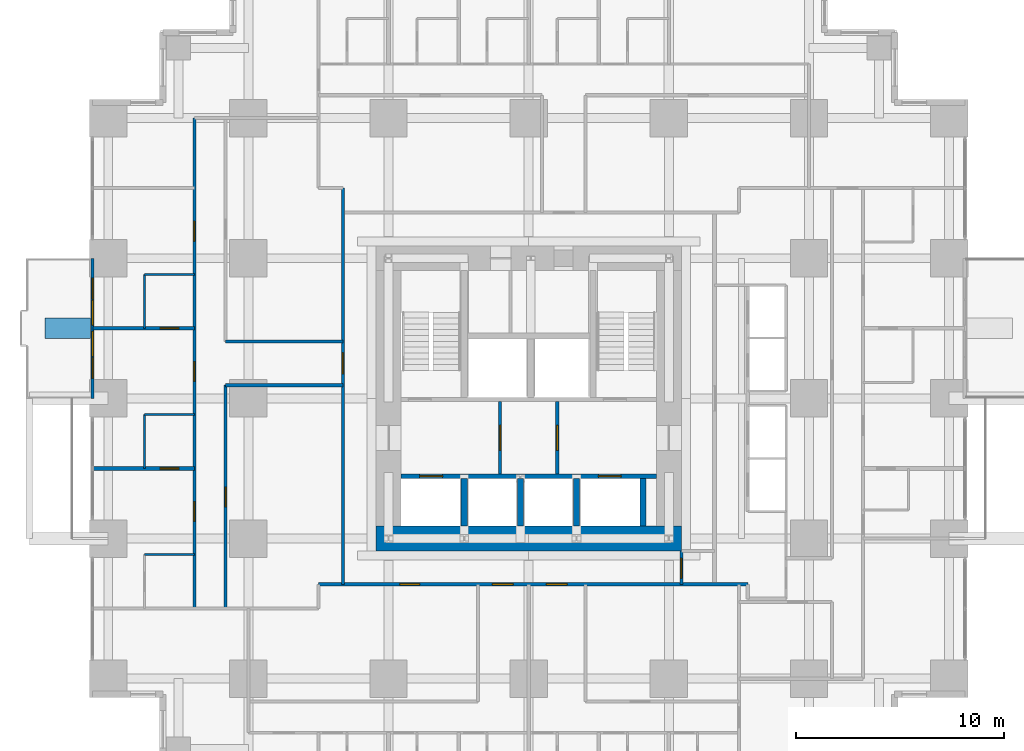
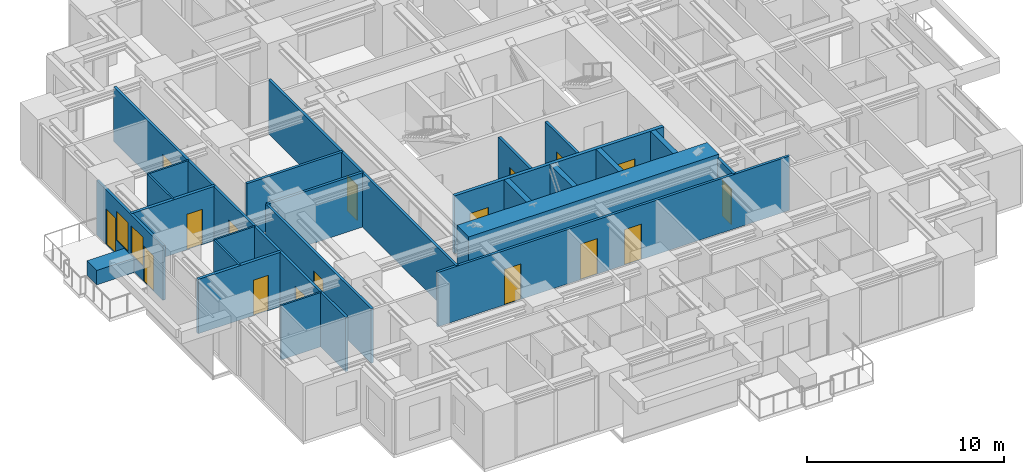
# One storey, part 9 of 14: 24 walls, 17 doors, 2 windows, 19 openings.
"""IFC4 building model written with IfcOpenShell, lengths in metres."""

from ifc_helpers import new_model, si_unit, direction, frame, frame_2d, origin, place, context, subcontext, project, spatial, rectangle, extrude, material, layer, layer_set, type_object, element, fill, save


model = new_model("IFC4")

# Units and contexts
model_context = context("Model", 3, precision=1e-05, world=origin(), true_north=direction((0.0, 1.0)))
body_context = subcontext(model_context, "Body", "Model", "MODEL_VIEW")
ifc_project = project(units=[si_unit("LENGTHUNIT", "METRE"), si_unit("AREAUNIT", "SQUARE_METRE"), si_unit("VOLUMEUNIT", "CUBIC_METRE"), si_unit("PLANEANGLEUNIT", "RADIAN"), si_unit("MASSUNIT", "GRAM", prefix="KILO")], contexts=[model_context])

# Site, building, storey
site_placement = place(None, origin())
site = spatial("IfcSite", under=ifc_project, at=site_placement, CompositionType="ELEMENT")
building_placement = place(site_placement, origin())
building = spatial("IfcBuilding", under=site, at=building_placement, Name="Nyansa Garden Tower", CompositionType="ELEMENT")
storey_placement = place(building_placement, frame((0.0, 0.0, 64.800048828125)))
storey = spatial("IfcBuildingStorey", under=building, at=storey_placement, Name="L17", CompositionType="ELEMENT", Elevation=64.800048828125)

# Wall, opening, door
ifc_material_1 = material(Name="Dense blockwork, plastered both sides, 55 dB", Category="masonry")
ifc_layer_1 = layer(ifc_material_1, 0.175048828125)
ifc_layer_set_1 = layer_set([ifc_layer_1], Name="Acoustic party wall PW175")
wall_type_1 = type_object("IfcWallType", Name="Acoustic party wall PW175", PredefinedType="PARTITIONING", material=ifc_layer_set_1)
wall_1_placement = place(storey_placement, frame((-0.73388671875, 16.875, 0.0), z_axis=(0.0, 0.0, 1.0), x_axis=(1.0, 0.0, 0.0)))
wall_1 = element("IfcWall", 1, at=wall_1_placement, inside=storey, type_object=wall_type_1, Name="Party wall", PredefinedType="PARTITIONING", context=body_context, shape_type="SweptSolid", body=[
    extrude(rectangle(XDim=4.8837890625, YDim=0.175048828125, at=frame_2d((2.44189453125, 0.0))), origin(), (0.0, 0.0, 1.0), 3.375),
])
opening_1_placement = place(wall_1_placement, frame((3.23388671875, 0.0, 0.0)))
opening_1 = element("IfcOpeningElement", 2, at=opening_1_placement, cuts=wall_1, Name="Opening D02", PredefinedType="OPENING", context=body_context, shape_type="SweptSolid", body=[
    extrude(rectangle(XDim=0.89990234375, YDim=2.199951171875, at=frame_2d((0.449951171875, 1.10009765625))), frame((0.0, 0.097412109375, 0.0), z_axis=(0.0, -1.0, 0.0), x_axis=(1.0, 0.0, 0.0)), (0.0, 0.0, 1.0), 0.195068359375),
])
ifc_material_2 = material(Name="Timber flush door", Category="wood")
door_type_1 = type_object("IfcDoorType", Name="En-suite door D02 900x2200", OperationType="SINGLE_SWING_RIGHT", PredefinedType="DOOR", material=ifc_material_2)
door_1_placement = place(opening_1_placement, origin())
door_1 = element("IfcDoor", 3, at=door_1_placement, inside=storey, type_object=door_type_1, Name="Door L17-062", OperationType="SINGLE_SWING_RIGHT", OverallHeight=2.199951171875, OverallWidth=0.89990234375, PredefinedType="DOOR", context=body_context, shape_type="SweptSolid", body=[
    extrude(rectangle(XDim=0.89990234375, YDim=2.199951171875, at=frame_2d((0.449951171875, 1.10009765625))), frame((0.0, 0.02490234375, 0.0), z_axis=(0.0, -1.0, 0.0), x_axis=(1.0, 0.0, 0.0)), (0.0, 0.0, 1.0), 0.050048828125),
])
fill(opening_1, door_1)

wall_2_placement = place(storey_placement, frame((-0.73388671875, 23.625, 0.0), z_axis=(0.0, 0.0, 1.0), x_axis=(1.0, 0.0, 0.0)))
wall_2 = element("IfcWall", 4, at=wall_2_placement, inside=storey, type_object=wall_type_1, Name="Party wall", PredefinedType="PARTITIONING", context=body_context, shape_type="SweptSolid", body=[
    extrude(rectangle(XDim=4.8837890625, YDim=0.175048828125, at=frame_2d((2.44189453125, 0.0))), origin(), (0.0, 0.0, 1.0), 3.375),
])
opening_2_placement = place(wall_2_placement, frame((3.23388671875, 0.0, 0.0)))
opening_2 = element("IfcOpeningElement", 5, at=opening_2_placement, cuts=wall_2, Name="Opening D02", PredefinedType="OPENING", context=body_context, shape_type="SweptSolid", body=[
    extrude(rectangle(XDim=0.89990234375, YDim=2.199951171875, at=frame_2d((0.449951171875, 1.10009765625))), frame((0.0, 0.097412109375, 0.0), z_axis=(0.0, -1.0, 0.0), x_axis=(1.0, 0.0, 0.0)), (0.0, 0.0, 1.0), 0.195068359375),
])
door_2_placement = place(opening_2_placement, origin())
door_2 = element("IfcDoor", 6, at=door_2_placement, inside=storey, type_object=door_type_1, Name="Door L17-064", OperationType="SINGLE_SWING_RIGHT", OverallHeight=2.199951171875, OverallWidth=0.89990234375, PredefinedType="DOOR", context=body_context, shape_type="SweptSolid", body=[
    extrude(rectangle(XDim=0.89990234375, YDim=2.199951171875, at=frame_2d((0.449951171875, 1.10009765625))), frame((0.0, 0.02490234375, 0.0), z_axis=(0.0, -1.0, 0.0), x_axis=(1.0, 0.0, 0.0)), (0.0, 0.0, 1.0), 0.050048828125),
])
fill(opening_2, door_2)

# Wall, openings, doors, windows
ifc_material_3 = material(Name="Black aluminium framed glazed screen", Category="aluminium")
ifc_layer_2 = layer(ifc_material_3, 0.14990234375)
ifc_layer_set_2 = layer_set([ifc_layer_2], Name="Balcony screen wall BW150")
wall_type_2 = type_object("IfcWallType", Name="Balcony screen wall BW150", PredefinedType="SOLIDWALL", material=ifc_layer_set_2)
wall_3_placement = place(storey_placement, frame((-0.75, 20.25, 0.0), z_axis=(0.0, 0.0, 1.0), x_axis=(0.0, 1.0, 0.0)))
wall_3 = element("IfcWall", 7, at=wall_3_placement, inside=storey, type_object=wall_type_2, Name="Glazed screen wall L17 W", PredefinedType="SOLIDWALL", context=body_context, shape_type="SweptSolid", body=[
    extrude(rectangle(XDim=6.75, YDim=0.14990234375, at=frame_2d((3.375, 0.0))), origin(), (0.0, 0.0, 1.0), 3.375),
])
opening_3_placement = place(wall_3_placement, frame((0.96240234375, 0.0, 0.0)))
opening_3 = element("IfcOpeningElement", 8, at=opening_3_placement, cuts=wall_3, Name="Opening D20", PredefinedType="OPENING", context=body_context, shape_type="SweptSolid", body=[
    extrude(rectangle(XDim=1.0, YDim=2.199951171875, at=frame_2d((0.5, 1.10009765625))), frame((0.0, 0.0849609375, 0.0), z_axis=(0.0, -1.0, 0.0), x_axis=(1.0, 0.0, 0.0)), (0.0, 0.0, 1.0), 0.169921875),
])
opening_4_placement = place(wall_3_placement, frame((2.02490234375, 0.0, 0.89990234375)))
opening_4 = element("IfcOpeningElement", 9, at=opening_4_placement, cuts=wall_3, Name="Opening W6", PredefinedType="OPENING", context=body_context, shape_type="SweptSolid", body=[
    extrude(rectangle(XDim=1.199951171875, YDim=1.800048828125, at=frame_2d((0.60009765625, 0.89990234375))), frame((0.0, 0.0849609375, 0.0), z_axis=(0.0, -1.0, 0.0), x_axis=(1.0, 0.0, 0.0)), (0.0, 0.0, 1.0), 0.169921875),
])
opening_5_placement = place(wall_3_placement, frame((4.78759765625, 0.0, 0.0)))
opening_5 = element("IfcOpeningElement", 10, at=opening_5_placement, cuts=wall_3, Name="Opening D20", PredefinedType="OPENING", context=body_context, shape_type="SweptSolid", body=[
    extrude(rectangle(XDim=1.0, YDim=2.199951171875, at=frame_2d((0.5, 1.10009765625))), frame((0.0, 0.0849609375, 0.0), z_axis=(0.0, -1.0, 0.0), x_axis=(1.0, 0.0, 0.0)), (0.0, 0.0, 1.0), 0.169921875),
])
opening_6_placement = place(wall_3_placement, frame((3.52490234375, 0.0, 0.89990234375)))
opening_6 = element("IfcOpeningElement", 11, at=opening_6_placement, cuts=wall_3, Name="Opening W6", PredefinedType="OPENING", context=body_context, shape_type="SweptSolid", body=[
    extrude(rectangle(XDim=1.199951171875, YDim=1.800048828125, at=frame_2d((0.60009765625, 0.89990234375))), frame((0.0, 0.0849609375, 0.0), z_axis=(0.0, -1.0, 0.0), x_axis=(1.0, 0.0, 0.0)), (0.0, 0.0, 1.0), 0.169921875),
])
ifc_material_4 = material(Name="Black aluminium framed glazed door", Category="aluminium")
door_type_2 = type_object("IfcDoorType", Name="Balcony door D20 1000x2200", OperationType="NOTDEFINED", PredefinedType="DOOR", material=ifc_material_4)
door_3_placement = place(opening_3_placement, origin())
door_3 = element("IfcDoor", 12, at=door_3_placement, inside=storey, type_object=door_type_2, Name="Balcony door L17", OperationType="SINGLE_SWING_LEFT", OverallHeight=2.199951171875, OverallWidth=1.0, PredefinedType="DOOR", context=body_context, shape_type="SweptSolid", body=[
    extrude(rectangle(XDim=1.0, YDim=2.199951171875, at=frame_2d((0.5, 1.10009765625))), frame((0.0, 0.02490234375, 0.0), z_axis=(0.0, -1.0, 0.0), x_axis=(1.0, 0.0, 0.0)), (0.0, 0.0, 1.0), 0.050048828125),
])
fill(opening_3, door_3)
door_4_placement = place(opening_5_placement, origin())
door_4 = element("IfcDoor", 13, at=door_4_placement, inside=storey, type_object=door_type_2, Name="Balcony door L17", OperationType="SINGLE_SWING_RIGHT", OverallHeight=2.199951171875, OverallWidth=1.0, PredefinedType="DOOR", context=body_context, shape_type="SweptSolid", body=[
    extrude(rectangle(XDim=1.0, YDim=2.199951171875, at=frame_2d((0.5, 1.10009765625))), frame((0.0, 0.02490234375, 0.0), z_axis=(0.0, -1.0, 0.0), x_axis=(1.0, 0.0, 0.0)), (0.0, 0.0, 1.0), 0.050048828125),
])
fill(opening_5, door_4)
ifc_material_5 = material(Name="Black aluminium frame, dark tinted double glazing", Category="aluminium")
window_type = type_object("IfcWindowType", Name="Balcony window W6 1200x1800", PartitioningType="SINGLE_PANEL", PredefinedType="WINDOW", material=ifc_material_5)
window_1_placement = place(opening_4_placement, origin())
window_1 = element("IfcWindow", 14, at=window_1_placement, inside=storey, type_object=window_type, Name="Window L17", OverallHeight=1.800048828125, OverallWidth=1.199951171875, PartitioningType="SINGLE_PANEL", PredefinedType="WINDOW", context=body_context, shape_type="SweptSolid", body=[
    extrude(rectangle(XDim=1.199951171875, YDim=1.800048828125, at=frame_2d((0.60009765625, 0.89990234375))), frame((0.0, 0.030029296875, 0.0), z_axis=(0.0, -1.0, 0.0), x_axis=(1.0, 0.0, 0.0)), (0.0, 0.0, 1.0), 0.06005859375),
])
fill(opening_4, window_1)
window_2_placement = place(opening_6_placement, origin())
window_2 = element("IfcWindow", 15, at=window_2_placement, inside=storey, type_object=window_type, Name="Window L17", OverallHeight=1.800048828125, OverallWidth=1.199951171875, PartitioningType="SINGLE_PANEL", PredefinedType="WINDOW", context=body_context, shape_type="SweptSolid", body=[
    extrude(rectangle(XDim=1.199951171875, YDim=1.800048828125, at=frame_2d((0.60009765625, 0.89990234375))), frame((0.0, 0.030029296875, 0.0), z_axis=(0.0, -1.0, 0.0), x_axis=(1.0, 0.0, 0.0)), (0.0, 0.0, 1.0), 0.06005859375),
])
fill(opening_6, window_2)

# Wall, openings, doors
ifc_material_6 = material(Name="Concrete C70/85", Category="concrete")
ifc_layer_3 = layer(ifc_material_6, 0.199951171875)
ifc_layer_set_3 = layer_set([ifc_layer_3], Name="Core inner wall CI200")
wall_type_3 = type_object("IfcWallType", Name="Core inner wall CI200", PredefinedType="SHEAR", material=ifc_layer_set_3)
wall_4_placement = place(storey_placement, frame((14.10009765625, 16.5, 0.0), z_axis=(0.0, 0.0, 1.0), x_axis=(1.0, 0.0, 0.0)))
wall_4 = element("IfcWall", 16, at=wall_4_placement, inside=storey, type_object=wall_type_3, Name="Core inner wall L17", PredefinedType="SHEAR", context=body_context, shape_type="SweptSolid", body=[
    extrude(rectangle(XDim=12.2998046875, YDim=0.199951171875, at=frame_2d((6.14990234375, 0.0))), origin(), (0.0, 0.0, 1.0), 3.599853515625),
])
opening_7_placement = place(wall_4_placement, frame((0.89990234375, 0.0, 0.0)))
opening_7 = element("IfcOpeningElement", 17, at=opening_7_placement, cuts=wall_4, Name="Opening LD-F", PredefinedType="OPENING", context=body_context, shape_type="SweptSolid", body=[
    extrude(rectangle(XDim=1.10009765625, YDim=2.199951171875, at=frame_2d((0.550048828125, 1.10009765625))), frame((0.0, 0.10986328125, 0.0), z_axis=(0.0, -1.0, 0.0), x_axis=(1.0, 0.0, 0.0)), (0.0, 0.0, 1.0), 0.219970703125),
])
opening_8_placement = place(wall_4_placement, frame((9.5, 0.0, 0.0)))
opening_8 = element("IfcOpeningElement", 18, at=opening_8_placement, cuts=wall_4, Name="Opening LD-F", PredefinedType="OPENING", context=body_context, shape_type="SweptSolid", body=[
    extrude(rectangle(XDim=1.10009765625, YDim=2.199951171875, at=frame_2d((0.550048828125, 1.10009765625))), frame((0.0, 0.10986328125, 0.0), z_axis=(0.0, -1.0, 0.0), x_axis=(1.0, 0.0, 0.0)), (0.0, 0.0, 1.0), 0.219970703125),
])
ifc_material_7 = material(Name="Stainless steel centre-opening landing door of the firefighting lift, EN 81-72, E 120", Category="steel")
door_type_3 = type_object("IfcDoorType", Name="Lift landing door LD-F 1100x2200", OperationType="DOUBLE_DOOR_SLIDING", PredefinedType="DOOR", material=ifc_material_7)
door_5_placement = place(opening_7_placement, origin())
door_5 = element("IfcDoor", 19, at=door_5_placement, inside=storey, type_object=door_type_3, Name="Landing door FF1", OperationType="DOUBLE_DOOR_SLIDING", OverallHeight=2.199951171875, OverallWidth=1.10009765625, PredefinedType="DOOR", context=body_context, shape_type="SweptSolid", body=[
    extrude(rectangle(XDim=1.10009765625, YDim=2.199951171875, at=frame_2d((0.550048828125, 1.10009765625))), frame((0.0, 0.02490234375, 0.0), z_axis=(0.0, -1.0, 0.0), x_axis=(1.0, 0.0, 0.0)), (0.0, 0.0, 1.0), 0.050048828125),
])
fill(opening_7, door_5)
door_6_placement = place(opening_8_placement, origin())
door_6 = element("IfcDoor", 20, at=door_6_placement, inside=storey, type_object=door_type_3, Name="Landing door FF2", OperationType="DOUBLE_DOOR_SLIDING", OverallHeight=2.199951171875, OverallWidth=1.10009765625, PredefinedType="DOOR", context=body_context, shape_type="SweptSolid", body=[
    extrude(rectangle(XDim=1.10009765625, YDim=2.199951171875, at=frame_2d((0.550048828125, 1.10009765625))), frame((0.0, 0.02490234375, 0.0), z_axis=(0.0, -1.0, 0.0), x_axis=(1.0, 0.0, 0.0)), (0.0, 0.0, 1.0), 0.050048828125),
])
fill(opening_8, door_6)

# Walls
ifc_material_8 = material(Name="Concrete C70/85", Category="concrete")
ifc_layer_4 = layer(ifc_material_8, 0.300048828125)
ifc_layer_set_4 = layer_set([ifc_layer_4], Name="Core inner wall CI300")
wall_type_4 = type_object("IfcWallType", Name="Core inner wall CI300", PredefinedType="SHEAR", material=ifc_layer_set_4)
for number, where, z_axis, x_axis, name in (
    (21, (17.14990234375, 14.10009765625, 0.0), (0.0, 0.0, 1.0), (0.0, 1.0, 0.0), "Core inner wall L17"),
    (22, (19.85009765625, 14.10009765625, 0.0), (0.0, 0.0, 1.0), (0.0, 1.0, 0.0), "Core inner wall L17"),
    (23, (22.550048828125, 14.10009765625, 0.0), (0.0, 0.0, 1.0), (0.0, 1.0, 0.0), "Core inner wall L17"),
    (24, (25.75, 14.10009765625, 0.0), (0.0, 0.0, 1.0), (0.0, 1.0, 0.0), "Core inner wall L17"),
):
    element("IfcWall", number, at=place(storey_placement, frame(where, z_axis=z_axis, x_axis=x_axis)), inside=storey, type_object=wall_type_4, Name=name, PredefinedType="SHEAR", context=body_context, shape_type="SweptSolid", body=[
        extrude(rectangle(XDim=2.2998046875, YDim=0.300048828125, at=frame_2d((1.14990234375, 0.0))), origin(), (0.0, 0.0, 1.0), 3.599853515625),
    ])
ifc_material_9 = material(Name="Concrete C80/95", Category="concrete")
ifc_layer_5 = layer(ifc_material_9, 1.199951171875)
ifc_layer_set_5 = layer_set([ifc_layer_5], Name="Core wall CW1200")
wall_type_5 = type_object("IfcWallType", Name="Core wall CW1200", PredefinedType="SHEAR", material=ifc_layer_set_5)
wall_5_placement = place(storey_placement, frame((12.89990234375, 13.5, 0.0), z_axis=(0.0, 0.0, 1.0), x_axis=(1.0, 0.0, 0.0)))
element("IfcWall", 25, at=wall_5_placement, inside=storey, type_object=wall_type_5, Name="Core wall S L17", PredefinedType="SHEAR", context=body_context, shape_type="SweptSolid", body=[
    extrude(rectangle(XDim=14.7001953125, YDim=1.199951171875, at=frame_2d((7.35009765625, 0.0))), origin(), (0.0, 0.0, 1.0), 3.599853515625),
])

# Wall, opening, door
ifc_material_10 = material(Name="Blockwork, plastered both sides", Category="masonry")
ifc_layer_6 = layer(ifc_material_10, 0.14990234375)
ifc_layer_set_6 = layer_set([ifc_layer_6], Name="Partition PW150")
wall_type_6 = type_object("IfcWallType", Name="Partition PW150", PredefinedType="PARTITIONING", material=ifc_layer_set_6)
wall_6_placement = place(storey_placement, frame((18.875, 16.60009765625, 0.0), z_axis=(0.0, 0.0, 1.0), x_axis=(0.0, 1.0, 0.0)))
wall_6 = element("IfcWall", 26, at=wall_6_placement, inside=storey, type_object=wall_type_6, Name="Partition", PredefinedType="PARTITIONING", context=body_context, shape_type="SweptSolid", body=[
    extrude(rectangle(XDim=3.5, YDim=0.14990234375, at=frame_2d((1.75, 0.0))), origin(), (0.0, 0.0, 1.0), 3.375),
])
opening_9_placement = place(wall_6_placement, frame((1.14990234375, 0.0, 0.0)))
opening_9 = element("IfcOpeningElement", 27, at=opening_9_placement, cuts=wall_6, Name="Opening D06", PredefinedType="OPENING", context=body_context, shape_type="SweptSolid", body=[
    extrude(rectangle(XDim=1.199951171875, YDim=2.199951171875, at=frame_2d((0.60009765625, 1.10009765625))), frame((0.0, 0.0849609375, 0.0), z_axis=(0.0, -1.0, 0.0), x_axis=(1.0, 0.0, 0.0)), (0.0, 0.0, 1.0), 0.169921875),
])
ifc_material_11 = material(Name="Steel door, 120 minute fire resisting", Category="steel")
door_type_4 = type_object("IfcDoorType", Name="Lobby door D06 1200x2200", OperationType="DOUBLE_DOOR_SINGLE_SWING", PredefinedType="DOOR", material=ifc_material_11)
door_7_placement = place(opening_9_placement, origin())
door_7 = element("IfcDoor", 28, at=door_7_placement, inside=storey, type_object=door_type_4, Name="Passenger lift lobby door", OperationType="DOUBLE_DOOR_SINGLE_SWING", OverallHeight=2.199951171875, OverallWidth=1.199951171875, PredefinedType="DOOR", context=body_context, shape_type="SweptSolid", body=[
    extrude(rectangle(XDim=1.199951171875, YDim=2.199951171875, at=frame_2d((0.60009765625, 1.10009765625))), frame((0.0, 0.02490234375, 0.0), z_axis=(0.0, -1.0, 0.0), x_axis=(1.0, 0.0, 0.0)), (0.0, 0.0, 1.0), 0.050048828125),
])
fill(opening_9, door_7)

wall_7_placement = place(storey_placement, frame((21.625, 16.60009765625, 0.0), z_axis=(0.0, 0.0, 1.0), x_axis=(0.0, 1.0, 0.0)))
wall_7 = element("IfcWall", 29, at=wall_7_placement, inside=storey, type_object=wall_type_6, Name="Partition", PredefinedType="PARTITIONING", context=body_context, shape_type="SweptSolid", body=[
    extrude(rectangle(XDim=3.5, YDim=0.14990234375, at=frame_2d((1.75, 0.0))), origin(), (0.0, 0.0, 1.0), 3.375),
])
opening_10_placement = place(wall_7_placement, frame((1.14990234375, 0.0, 0.0)))
opening_10 = element("IfcOpeningElement", 30, at=opening_10_placement, cuts=wall_7, Name="Opening D06", PredefinedType="OPENING", context=body_context, shape_type="SweptSolid", body=[
    extrude(rectangle(XDim=1.199951171875, YDim=2.199951171875, at=frame_2d((0.60009765625, 1.10009765625))), frame((0.0, 0.0849609375, 0.0), z_axis=(0.0, -1.0, 0.0), x_axis=(1.0, 0.0, 0.0)), (0.0, 0.0, 1.0), 0.169921875),
])
door_8_placement = place(opening_10_placement, origin())
door_8 = element("IfcDoor", 31, at=door_8_placement, inside=storey, type_object=door_type_4, Name="Passenger lift lobby door", OperationType="DOUBLE_DOOR_SINGLE_SWING", OverallHeight=2.199951171875, OverallWidth=1.199951171875, PredefinedType="DOOR", context=body_context, shape_type="SweptSolid", body=[
    extrude(rectangle(XDim=1.199951171875, YDim=2.199951171875, at=frame_2d((0.60009765625, 1.10009765625))), frame((0.0, 0.02490234375, 0.0), z_axis=(0.0, -1.0, 0.0), x_axis=(1.0, 0.0, 0.0)), (0.0, 0.0, 1.0), 0.050048828125),
])
fill(opening_10, door_8)

# Wall, openings, doors
wall_8_placement = place(storey_placement, frame((4.14990234375, 10.125, 0.0), z_axis=(0.0, 0.0, 1.0), x_axis=(0.0, 1.0, 0.0)))
wall_8 = element("IfcWall", 32, at=wall_8_placement, inside=storey, type_object=wall_type_6, Name="Partition", PredefinedType="PARTITIONING", context=body_context, shape_type="SweptSolid", body=[
    extrude(rectangle(XDim=23.625, YDim=0.14990234375, at=frame_2d((11.8125, 0.0))), origin(), (0.0, 0.0, 1.0), 3.375),
])
opening_11_placement = place(wall_8_placement, frame((4.199951171875, 0.0, 0.0)))
opening_11 = element("IfcOpeningElement", 33, at=opening_11_placement, cuts=wall_8, Name="Opening D14", PredefinedType="OPENING", context=body_context, shape_type="SweptSolid", body=[
    extrude(rectangle(XDim=0.949951171875, YDim=2.199951171875, at=frame_2d((0.47509765625, 1.10009765625))), frame((0.0, 0.0849609375, 0.0), z_axis=(0.0, -1.0, 0.0), x_axis=(1.0, 0.0, 0.0)), (0.0, 0.0, 1.0), 0.169921875),
])
opening_12_placement = place(wall_8_placement, frame((10.949951171875, 0.0, 0.0)))
opening_12 = element("IfcOpeningElement", 34, at=opening_12_placement, cuts=wall_8, Name="Opening D14", PredefinedType="OPENING", context=body_context, shape_type="SweptSolid", body=[
    extrude(rectangle(XDim=0.949951171875, YDim=2.199951171875, at=frame_2d((0.47509765625, 1.10009765625))), frame((0.0, 0.0849609375, 0.0), z_axis=(0.0, -1.0, 0.0), x_axis=(1.0, 0.0, 0.0)), (0.0, 0.0, 1.0), 0.169921875),
])
opening_13_placement = place(wall_8_placement, frame((17.699951171875, 0.0, 0.0)))
opening_13 = element("IfcOpeningElement", 35, at=opening_13_placement, cuts=wall_8, Name="Opening D14", PredefinedType="OPENING", context=body_context, shape_type="SweptSolid", body=[
    extrude(rectangle(XDim=0.949951171875, YDim=2.199951171875, at=frame_2d((0.47509765625, 1.10009765625))), frame((0.0, 0.0849609375, 0.0), z_axis=(0.0, -1.0, 0.0), x_axis=(1.0, 0.0, 0.0)), (0.0, 0.0, 1.0), 0.169921875),
])
ifc_material_12 = material(Name="Timber flush door, 60 minute fire resisting, self-closing", Category="wood")
door_type_5 = type_object("IfcDoorType", Name="Studio entrance door D14 950x2200", OperationType="SINGLE_SWING_LEFT", PredefinedType="DOOR", material=ifc_material_12)
door_9_placement = place(opening_11_placement, origin())
door_9 = element("IfcDoor", 36, at=door_9_placement, inside=storey, type_object=door_type_5, Name="Door L17-059", OperationType="SINGLE_SWING_LEFT", OverallHeight=2.199951171875, OverallWidth=0.949951171875, PredefinedType="DOOR", context=body_context, shape_type="SweptSolid", body=[
    extrude(rectangle(XDim=0.949951171875, YDim=2.199951171875, at=frame_2d((0.47509765625, 1.10009765625))), frame((0.0, 0.02490234375, 0.0), z_axis=(0.0, -1.0, 0.0), x_axis=(1.0, 0.0, 0.0)), (0.0, 0.0, 1.0), 0.050048828125),
])
fill(opening_11, door_9)
door_10_placement = place(opening_12_placement, origin())
door_10 = element("IfcDoor", 37, at=door_10_placement, inside=storey, type_object=door_type_5, Name="Door L17-061", OperationType="SINGLE_SWING_LEFT", OverallHeight=2.199951171875, OverallWidth=0.949951171875, PredefinedType="DOOR", context=body_context, shape_type="SweptSolid", body=[
    extrude(rectangle(XDim=0.949951171875, YDim=2.199951171875, at=frame_2d((0.47509765625, 1.10009765625))), frame((0.0, 0.02490234375, 0.0), z_axis=(0.0, -1.0, 0.0), x_axis=(1.0, 0.0, 0.0)), (0.0, 0.0, 1.0), 0.050048828125),
])
fill(opening_12, door_10)
door_11_placement = place(opening_13_placement, origin())
door_11 = element("IfcDoor", 38, at=door_11_placement, inside=storey, type_object=door_type_5, Name="Door L17-063", OperationType="SINGLE_SWING_LEFT", OverallHeight=2.199951171875, OverallWidth=0.949951171875, PredefinedType="DOOR", context=body_context, shape_type="SweptSolid", body=[
    extrude(rectangle(XDim=0.949951171875, YDim=2.199951171875, at=frame_2d((0.47509765625, 1.10009765625))), frame((0.0, 0.02490234375, 0.0), z_axis=(0.0, -1.0, 0.0), x_axis=(1.0, 0.0, 0.0)), (0.0, 0.0, 1.0), 0.050048828125),
])
fill(opening_13, door_11)

# Wall, opening, door
wall_9_placement = place(storey_placement, frame((5.64990234375, 10.125, 0.0), z_axis=(0.0, 0.0, 1.0), x_axis=(0.0, 1.0, 0.0)))
wall_9 = element("IfcWall", 39, at=wall_9_placement, inside=storey, type_object=wall_type_6, Name="Partition", PredefinedType="PARTITIONING", context=body_context, shape_type="SweptSolid", body=[
    extrude(rectangle(XDim=10.762451171875, YDim=0.14990234375, at=frame_2d((5.38134765625, 0.0))), origin(), (0.0, 0.0, 1.0), 3.375),
])
opening_14_placement = place(wall_9_placement, frame((4.89990234375, 0.0, 0.0)))
opening_14 = element("IfcOpeningElement", 40, at=opening_14_placement, cuts=wall_9, Name="Opening D01", PredefinedType="OPENING", context=body_context, shape_type="SweptSolid", body=[
    extrude(rectangle(XDim=0.949951171875, YDim=2.199951171875, at=frame_2d((0.47509765625, 1.10009765625))), frame((0.0, 0.0849609375, 0.0), z_axis=(0.0, -1.0, 0.0), x_axis=(1.0, 0.0, 0.0)), (0.0, 0.0, 1.0), 0.169921875),
])
ifc_material_13 = material(Name="Timber flush door, 30 minute fire resisting", Category="wood")
door_type_6 = type_object("IfcDoorType", Name="Bedroom door D01 950x2200", OperationType="SINGLE_SWING_LEFT", PredefinedType="DOOR", material=ifc_material_13)
door_12_placement = place(opening_14_placement, origin())
door_12 = element("IfcDoor", 41, at=door_12_placement, inside=storey, type_object=door_type_6, Name="Door L17-066", OperationType="SINGLE_SWING_LEFT", OverallHeight=2.199951171875, OverallWidth=0.949951171875, PredefinedType="DOOR", context=body_context, shape_type="SweptSolid", body=[
    extrude(rectangle(XDim=0.949951171875, YDim=2.199951171875, at=frame_2d((0.47509765625, 1.10009765625))), frame((0.0, 0.02490234375, 0.0), z_axis=(0.0, -1.0, 0.0), x_axis=(1.0, 0.0, 0.0)), (0.0, 0.0, 1.0), 0.050048828125),
])
fill(opening_14, door_12)

# Walls
for number, where, z_axis, x_axis, name in (
    (42, (5.64990234375, 20.886962890625, 0.0), (0.0, 0.0, 1.0), (1.0, 0.0, 0.0), "Partition"),
    (43, (5.64990234375, 22.988037109375, 0.0), (0.0, 0.0, 1.0), (1.0, 0.0, 0.0), "Partition"),
):
    element("IfcWall", number, at=place(storey_placement, frame(where, z_axis=z_axis, x_axis=x_axis)), inside=storey, type_object=wall_type_6, Name=name, PredefinedType="PARTITIONING", context=body_context, shape_type="SweptSolid", body=[
        extrude(rectangle(XDim=5.650146484375, YDim=0.14990234375, at=frame_2d((2.8251953125, 0.0))), origin(), (0.0, 0.0, 1.0), 3.375),
    ])

# Wall, openings, doors
wall_10_placement = place(storey_placement, frame((10.125, 11.300048828125, 0.0), z_axis=(0.0, 0.0, 1.0), x_axis=(1.0, 0.0, 0.0)))
wall_10 = element("IfcWall", 44, at=wall_10_placement, inside=storey, type_object=wall_type_6, Name="Partition", PredefinedType="PARTITIONING", context=body_context, shape_type="SweptSolid", body=[
    extrude(rectangle(XDim=20.675048828125, YDim=0.14990234375, at=frame_2d((10.33740234375, 0.0))), origin(), (0.0, 0.0, 1.0), 3.375),
])
opening_15_placement = place(wall_10_placement, frame((8.375, 0.0, 0.0)))
opening_15 = element("IfcOpeningElement", 45, at=opening_15_placement, cuts=wall_10, Name="Opening D03", PredefinedType="OPENING", context=body_context, shape_type="SweptSolid", body=[
    extrude(rectangle(XDim=1.0, YDim=2.199951171875, at=frame_2d((0.5, 1.10009765625))), frame((0.0, 0.0849609375, 0.0), z_axis=(0.0, -1.0, 0.0), x_axis=(1.0, 0.0, 0.0)), (0.0, 0.0, 1.0), 0.169921875),
])
opening_16_placement = place(wall_10_placement, frame((10.97509765625, 0.0, 0.0)))
opening_16 = element("IfcOpeningElement", 46, at=opening_16_placement, cuts=wall_10, Name="Opening D03", PredefinedType="OPENING", context=body_context, shape_type="SweptSolid", body=[
    extrude(rectangle(XDim=1.0, YDim=2.199951171875, at=frame_2d((0.5, 1.10009765625))), frame((0.0, 0.0849609375, 0.0), z_axis=(0.0, -1.0, 0.0), x_axis=(1.0, 0.0, 0.0)), (0.0, 0.0, 1.0), 0.169921875),
])
opening_17_placement = place(wall_10_placement, frame((3.925048828125, 0.0, 0.0)))
opening_17 = element("IfcOpeningElement", 47, at=opening_17_placement, cuts=wall_10, Name="Opening D01", PredefinedType="OPENING", context=body_context, shape_type="SweptSolid", body=[
    extrude(rectangle(XDim=0.949951171875, YDim=2.199951171875, at=frame_2d((0.47509765625, 1.10009765625))), frame((0.0, 0.0849609375, 0.0), z_axis=(0.0, -1.0, 0.0), x_axis=(1.0, 0.0, 0.0)), (0.0, 0.0, 1.0), 0.169921875),
])
door_13_placement = place(opening_17_placement, origin())
door_13 = element("IfcDoor", 48, at=door_13_placement, inside=storey, type_object=door_type_6, Name="Door L17-032", OperationType="SINGLE_SWING_LEFT", OverallHeight=2.199951171875, OverallWidth=0.949951171875, PredefinedType="DOOR", context=body_context, shape_type="SweptSolid", body=[
    extrude(rectangle(XDim=0.949951171875, YDim=2.199951171875, at=frame_2d((0.47509765625, 1.10009765625))), frame((0.0, 0.02490234375, 0.0), z_axis=(0.0, -1.0, 0.0), x_axis=(1.0, 0.0, 0.0)), (0.0, 0.0, 1.0), 0.050048828125),
])
fill(opening_17, door_13)
ifc_material_14 = material(Name="Timber flush door, 60 minute fire resisting", Category="wood")
door_type_7 = type_object("IfcDoorType", Name="Cluster entrance door D03 1000x2200", OperationType="SINGLE_SWING_LEFT", PredefinedType="DOOR", material=ifc_material_14)
door_14_placement = place(opening_15_placement, origin())
door_14 = element("IfcDoor", 49, at=door_14_placement, inside=storey, type_object=door_type_7, Name="Door L17-024", OperationType="SINGLE_SWING_LEFT", OverallHeight=2.199951171875, OverallWidth=1.0, PredefinedType="DOOR", context=body_context, shape_type="SweptSolid", body=[
    extrude(rectangle(XDim=1.0, YDim=2.199951171875, at=frame_2d((0.5, 1.10009765625))), frame((0.0, 0.02490234375, 0.0), z_axis=(0.0, -1.0, 0.0), x_axis=(1.0, 0.0, 0.0)), (0.0, 0.0, 1.0), 0.050048828125),
])
fill(opening_15, door_14)
door_15_placement = place(opening_16_placement, origin())
door_15 = element("IfcDoor", 50, at=door_15_placement, inside=storey, type_object=door_type_7, Name="Door L17-031", OperationType="SINGLE_SWING_LEFT", OverallHeight=2.199951171875, OverallWidth=1.0, PredefinedType="DOOR", context=body_context, shape_type="SweptSolid", body=[
    extrude(rectangle(XDim=1.0, YDim=2.199951171875, at=frame_2d((0.5, 1.10009765625))), frame((0.0, 0.02490234375, 0.0), z_axis=(0.0, -1.0, 0.0), x_axis=(1.0, 0.0, 0.0)), (0.0, 0.0, 1.0), 0.050048828125),
])
fill(opening_16, door_15)

# Wall, opening, door
wall_11_placement = place(storey_placement, frame((11.300048828125, 11.300048828125, 0.0), z_axis=(0.0, 0.0, 1.0), x_axis=(0.0, 1.0, 0.0)))
wall_11 = element("IfcWall", 51, at=wall_11_placement, inside=storey, type_object=wall_type_6, Name="Partition", PredefinedType="PARTITIONING", context=body_context, shape_type="SweptSolid", body=[
    extrude(rectangle(XDim=19.074951171875, YDim=0.14990234375, at=frame_2d((9.53759765625, 0.0))), origin(), (0.0, 0.0, 1.0), 3.375),
])
opening_18_placement = place(wall_11_placement, frame((10.137451171875, 0.0, 0.0)))
opening_18 = element("IfcOpeningElement", 52, at=opening_18_placement, cuts=wall_11, Name="Opening D03", PredefinedType="OPENING", context=body_context, shape_type="SweptSolid", body=[
    extrude(rectangle(XDim=1.0, YDim=2.199951171875, at=frame_2d((0.5, 1.10009765625))), frame((0.0, 0.0849609375, 0.0), z_axis=(0.0, -1.0, 0.0), x_axis=(1.0, 0.0, 0.0)), (0.0, 0.0, 1.0), 0.169921875),
])
door_16_placement = place(opening_18_placement, origin())
door_16 = element("IfcDoor", 53, at=door_16_placement, inside=storey, type_object=door_type_7, Name="Door L17-065", OperationType="SINGLE_SWING_LEFT", OverallHeight=2.199951171875, OverallWidth=1.0, PredefinedType="DOOR", context=body_context, shape_type="SweptSolid", body=[
    extrude(rectangle(XDim=1.0, YDim=2.199951171875, at=frame_2d((0.5, 1.10009765625))), frame((0.0, 0.02490234375, 0.0), z_axis=(0.0, -1.0, 0.0), x_axis=(1.0, 0.0, 0.0)), (0.0, 0.0, 1.0), 0.050048828125),
])
fill(opening_18, door_16)

wall_12_placement = place(storey_placement, frame((27.60009765625, 11.300048828125, 0.0), z_axis=(0.0, 0.0, 1.0), x_axis=(0.0, 1.0, 0.0)))
wall_12 = element("IfcWall", 54, at=wall_12_placement, inside=storey, type_object=wall_type_6, Name="Partition", PredefinedType="PARTITIONING", context=body_context, shape_type="SweptSolid", body=[
    extrude(rectangle(XDim=1.599853515625, YDim=0.14990234375, at=frame_2d((0.7998046875, 0.0))), origin(), (0.0, 0.0, 1.0), 3.375),
])
opening_19_placement = place(wall_12_placement, frame((0.300048828125, 0.0, 0.0)))
opening_19 = element("IfcOpeningElement", 55, at=opening_19_placement, cuts=wall_12, Name="Opening D01", PredefinedType="OPENING", context=body_context, shape_type="SweptSolid", body=[
    extrude(rectangle(XDim=0.949951171875, YDim=2.199951171875, at=frame_2d((0.47509765625, 1.10009765625))), frame((0.0, 0.0849609375, 0.0), z_axis=(0.0, -1.0, 0.0), x_axis=(1.0, 0.0, 0.0)), (0.0, 0.0, 1.0), 0.169921875),
])
door_17_placement = place(opening_19_placement, origin())
door_17 = element("IfcDoor", 56, at=door_17_placement, inside=storey, type_object=door_type_6, Name="Door L17-016", OperationType="SINGLE_SWING_LEFT", OverallHeight=2.199951171875, OverallWidth=0.949951171875, PredefinedType="DOOR", context=body_context, shape_type="SweptSolid", body=[
    extrude(rectangle(XDim=0.949951171875, YDim=2.199951171875, at=frame_2d((0.47509765625, 1.10009765625))), frame((0.0, 0.02490234375, 0.0), z_axis=(0.0, -1.0, 0.0), x_axis=(1.0, 0.0, 0.0)), (0.0, 0.0, 1.0), 0.050048828125),
])
fill(opening_19, door_17)

# Walls
ifc_material_15 = material(Name="Concrete C40/50 planter, waterproofed", Category="concrete")
ifc_layer_7 = layer(ifc_material_15, 1.0)
ifc_layer_set_7 = layer_set([ifc_layer_7], Name="Tree planter TP1")
wall_type_7 = type_object("IfcWallType", Name="Tree planter TP1", PredefinedType="USERDEFINED", material=ifc_layer_set_7)
wall_13_placement = place(storey_placement, frame((-0.85009765625, 23.625, 0.0), z_axis=(0.0, 0.0, 1.0), x_axis=(-1.0, 0.0, 0.0)))
element("IfcWall", 57, at=wall_13_placement, inside=storey, type_object=wall_type_7, Name="Tree planter L17", ObjectType="TREE PLANTER", PredefinedType="USERDEFINED", context=body_context, shape_type="SweptSolid", body=[
    extrude(rectangle(XDim=2.199951171875, YDim=1.0, at=frame_2d((1.10009765625, 0.0))), origin(), (0.0, 0.0, 1.0), 0.89990234375),
])
ifc_material_16 = material(Name="Moisture resistant board on steel studs, tiled", Category="steel")
ifc_layer_8 = layer(ifc_material_16, 0.10009765625)
ifc_layer_set_8 = layer_set([ifc_layer_8], Name="Wet wall PW100")
wall_type_8 = type_object("IfcWallType", Name="Wet wall PW100", PredefinedType="PARTITIONING", material=ifc_layer_set_8)
wall_14_placement = place(storey_placement, frame((1.75, 12.72509765625, 0.0), z_axis=(0.0, 0.0, 1.0), x_axis=(1.0, 0.0, 0.0)))
element("IfcWall", 58, at=wall_14_placement, inside=storey, type_object=wall_type_8, Name="Wet wall", PredefinedType="PARTITIONING", context=body_context, shape_type="SweptSolid", body=[
    extrude(rectangle(XDim=2.39990234375, YDim=0.10009765625, at=frame_2d((1.199951171875, 0.0))), origin(), (0.0, 0.0, 1.0), 3.375),
])
wall_15_placement = place(storey_placement, frame((1.75, 16.875, 0.0), z_axis=(0.0, 0.0, 1.0), x_axis=(0.0, 1.0, 0.0)))
element("IfcWall", 59, at=wall_15_placement, inside=storey, type_object=wall_type_8, Name="Wet wall", PredefinedType="PARTITIONING", context=body_context, shape_type="SweptSolid", body=[
    extrude(rectangle(XDim=2.60009765625, YDim=0.10009765625, at=frame_2d((1.300048828125, 0.0))), origin(), (0.0, 0.0, 1.0), 3.375),
])
wall_16_placement = place(storey_placement, frame((1.75, 19.47509765625, 0.0), z_axis=(0.0, 0.0, 1.0), x_axis=(1.0, 0.0, 0.0)))
element("IfcWall", 60, at=wall_16_placement, inside=storey, type_object=wall_type_8, Name="Wet wall", PredefinedType="PARTITIONING", context=body_context, shape_type="SweptSolid", body=[
    extrude(rectangle(XDim=2.39990234375, YDim=0.10009765625, at=frame_2d((1.199951171875, 0.0))), origin(), (0.0, 0.0, 1.0), 3.375),
])
wall_17_placement = place(storey_placement, frame((1.75, 23.625, 0.0), z_axis=(0.0, 0.0, 1.0), x_axis=(0.0, 1.0, 0.0)))
element("IfcWall", 61, at=wall_17_placement, inside=storey, type_object=wall_type_8, Name="Wet wall", PredefinedType="PARTITIONING", context=body_context, shape_type="SweptSolid", body=[
    extrude(rectangle(XDim=2.60009765625, YDim=0.10009765625, at=frame_2d((1.300048828125, 0.0))), origin(), (0.0, 0.0, 1.0), 3.375),
])
wall_18_placement = place(storey_placement, frame((1.75, 26.22509765625, 0.0), z_axis=(0.0, 0.0, 1.0), x_axis=(1.0, 0.0, 0.0)))
element("IfcWall", 62, at=wall_18_placement, inside=storey, type_object=wall_type_8, Name="Wet wall", PredefinedType="PARTITIONING", context=body_context, shape_type="SweptSolid", body=[
    extrude(rectangle(XDim=2.39990234375, YDim=0.10009765625, at=frame_2d((1.199951171875, 0.0))), origin(), (0.0, 0.0, 1.0), 3.375),
])

save(model, "model.ifc")
